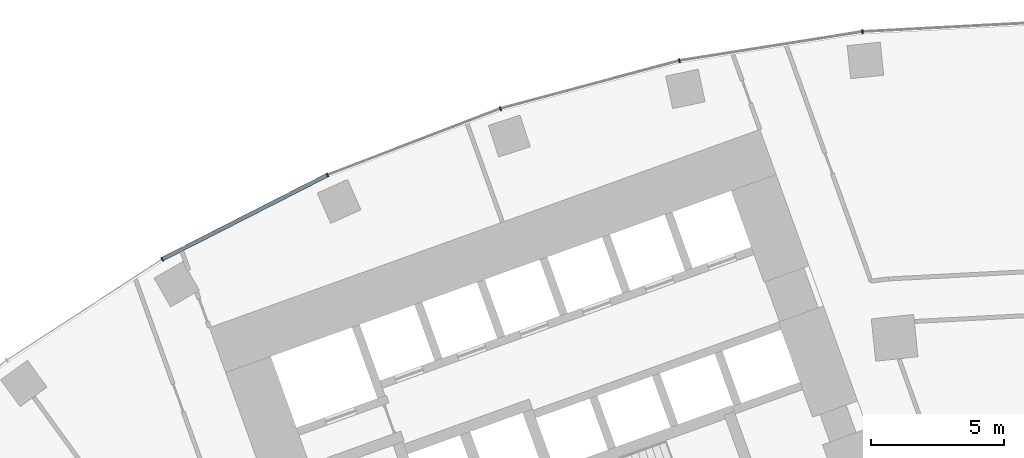
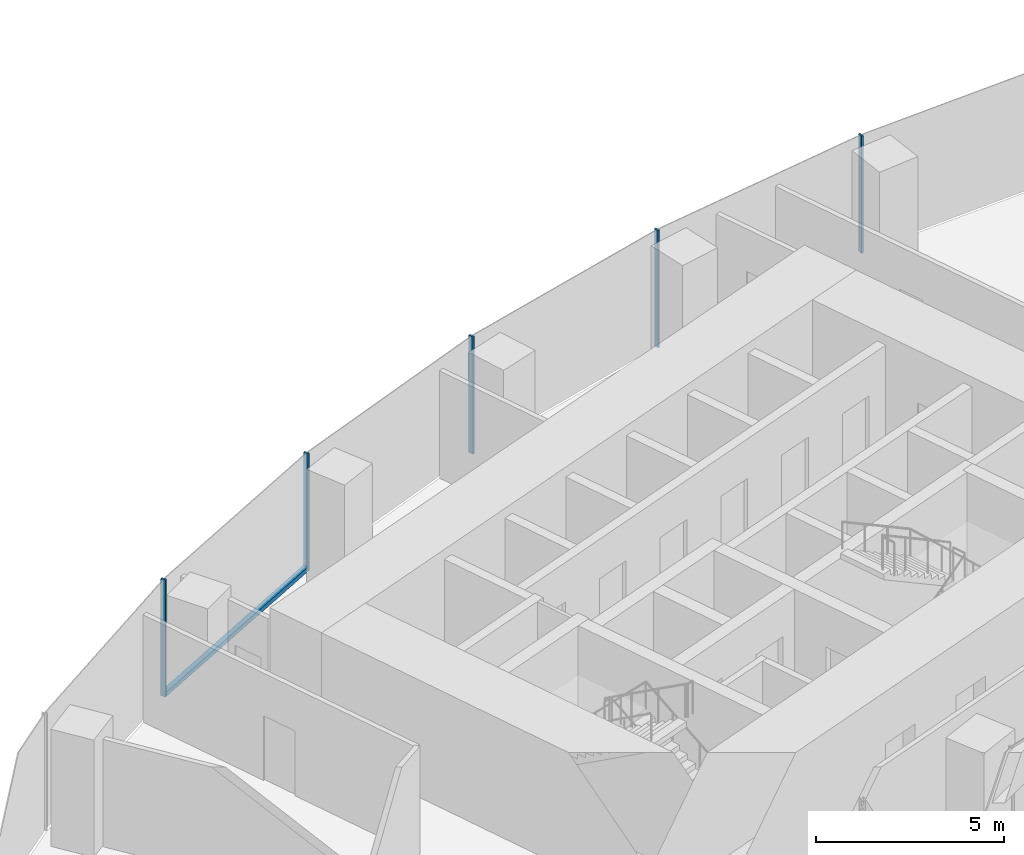
# One storey, part 6 of 21: 6 members, 1 element without a shape of its own.
"""IFC4 building model written with IfcOpenShell, lengths in metres."""

from ifc_helpers import new_model, si_unit, direction, frame, origin, origin_2d, place, context, subcontext, project, spatial, rectangle, extrude, material, layer, layer_set, material_profile, profile_set, type_object, element, aggregate, save


model = new_model("IFC4")

# Units and contexts
model_context = context("Model", 3, precision=1e-05, world=origin(), true_north=direction((0.0, 1.0)))
body_context = subcontext(model_context, "Body", "Model", "MODEL_VIEW")
ifc_project = project(units=[si_unit("LENGTHUNIT", "METRE"), si_unit("AREAUNIT", "SQUARE_METRE"), si_unit("VOLUMEUNIT", "CUBIC_METRE"), si_unit("PLANEANGLEUNIT", "RADIAN"), si_unit("MASSUNIT", "GRAM", prefix="KILO")], contexts=[model_context])

# Site, building, storey
site_placement = place(None, origin())
site = spatial("IfcSite", under=ifc_project, at=site_placement, CompositionType="ELEMENT")
building_placement = place(site_placement, origin())
building = spatial("IfcBuilding", under=site, at=building_placement, Name="Stone Belt Terrace Tower", CompositionType="ELEMENT")
storey_placement = place(building_placement, frame((0.0, 0.0, 56.60009765625)))
storey = spatial("IfcBuildingStorey", under=building, at=storey_placement, Name="L13", CompositionType="ELEMENT", Elevation=56.60009765625)

# Curtain wall, members
ifc_material = material(Name="Aluminium 6063-T6 anodised frame", Category="aluminium")
ifc_layer = layer(ifc_material, 0.14990234375)
ifc_layer_set = layer_set([ifc_layer], Name="CW-A unitised convex-face curtain wall")
curtain_wall_type = type_object("IfcCurtainWallType", Name="CW-A unitised convex-face curtain wall", PredefinedType="NOTDEFINED", material=ifc_layer_set)
curtain_wall_placement = place(storey_placement, origin())
curtain_wall = element("IfcCurtainWall", 1, at=curtain_wall_placement, inside=storey, type_object=curtain_wall_type, Name="CW-A convex face L13", PredefinedType="NOTDEFINED")
ifc_material_profile_1 = material_profile(ifc_material, rectangle(XDim=0.14990234375, YDim=0.06005859375, at=origin_2d()), Name="Aluminium 6063-T6 60x150")
ifc_profile_set_1 = profile_set([ifc_material_profile_1], Name="Aluminium 6063-T6 anodised frame")
member_type_1 = type_object("IfcMemberType", Name="CW-A mullion 60 x 150", PredefinedType="MULLION", material=ifc_profile_set_1)
member_1_placement = place(storey_placement, frame((-6.958984375, 66.21044921875, 0.0), z_axis=(0.0, 0.0, 1.0), x_axis=(0.104528463268, -0.994521895368, 0.0)))
member_1 = element("IfcMember", 2, at=member_1_placement, type_object=member_type_1, Name="CW-A mullion 10", PredefinedType="MULLION", context=body_context, shape_type="SweptSolid", body=[
    extrude(rectangle(XDim=0.14990234375, YDim=0.06005859375, at=origin_2d()), origin(), (0.0, 0.0, 1.0), 3.7998046875),
])
member_2_placement = place(storey_placement, frame((-13.841796875, 65.120361328125, 0.0), z_axis=(0.0, 0.0, 1.0), x_axis=(0.207911690818, -0.978147600734, 0.0)))
member_2 = element("IfcMember", 3, at=member_2_placement, type_object=member_type_1, Name="CW-A mullion 11", PredefinedType="MULLION", context=body_context, shape_type="SweptSolid", body=[
    extrude(rectangle(XDim=0.14990234375, YDim=0.06005859375, at=origin_2d()), origin(), (0.0, 0.0, 1.0), 3.7998046875),
])
member_3_placement = place(storey_placement, frame((-20.57275390625, 63.316650390625, 0.0), z_axis=(0.0, 0.0, 1.0), x_axis=(0.309016994375, -0.951056516295, 0.0)))
member_3 = element("IfcMember", 4, at=member_3_placement, type_object=member_type_1, Name="CW-A mullion 12", PredefinedType="MULLION", context=body_context, shape_type="SweptSolid", body=[
    extrude(rectangle(XDim=0.14990234375, YDim=0.06005859375, at=origin_2d()), origin(), (0.0, 0.0, 1.0), 3.7998046875),
])
member_4_placement = place(storey_placement, frame((-27.07861328125, 60.8193359375, 0.0), z_axis=(0.0, 0.0, 1.0), x_axis=(0.406736643076, -0.913545457643, 0.0)))
member_4 = element("IfcMember", 5, at=member_4_placement, type_object=member_type_1, Name="CW-A mullion 13", PredefinedType="MULLION", context=body_context, shape_type="SweptSolid", body=[
    extrude(rectangle(XDim=0.14990234375, YDim=0.06005859375, at=origin_2d()), origin(), (0.0, 0.0, 1.0), 3.7998046875),
])
member_5_placement = place(storey_placement, frame((-33.28759765625, 57.65576171875, 0.0), z_axis=(0.0, 0.0, 1.0), x_axis=(0.5, -0.866025403784, 0.0)))
member_5 = element("IfcMember", 6, at=member_5_placement, type_object=member_type_1, Name="CW-A mullion 14", PredefinedType="MULLION", context=body_context, shape_type="SweptSolid", body=[
    extrude(rectangle(XDim=0.14990234375, YDim=0.06005859375, at=origin_2d()), origin(), (0.0, 0.0, 1.0), 3.7998046875),
])
ifc_material_profile_2 = material_profile(ifc_material, rectangle(XDim=0.14990234375, YDim=0.139892578125, at=origin_2d()), Name="Aluminium 6063-T6 150x140")
ifc_profile_set_2 = profile_set([ifc_material_profile_2], Name="Aluminium 6063-T6 anodised frame")
member_type_2 = type_object("IfcMemberType", Name="CW-A transom 140 x 150", PredefinedType="USERDEFINED", material=ifc_profile_set_2)
member_6_placement = place(storey_placement, frame((-27.108642578125, 60.803955078125, 0.06982421875), z_axis=(-0.891012226264, -0.453979308613, 0.0), x_axis=(0.453979308613, -0.891012226264, 0.0)))
member_6 = element("IfcMember", 7, at=member_6_placement, type_object=member_type_2, Name="CW-A transom 13.1", ObjectType="TRANSOM", PredefinedType="USERDEFINED", context=body_context, shape_type="SweptSolid", body=[
    extrude(rectangle(XDim=0.14990234375, YDim=0.139892578125, at=origin_2d()), origin(), (0.0, 0.0, 1.0), 6.90087890625),
])
aggregate(curtain_wall, [member_1, member_2, member_3, member_4, member_5, member_6])

save(model, "model.ifc")
